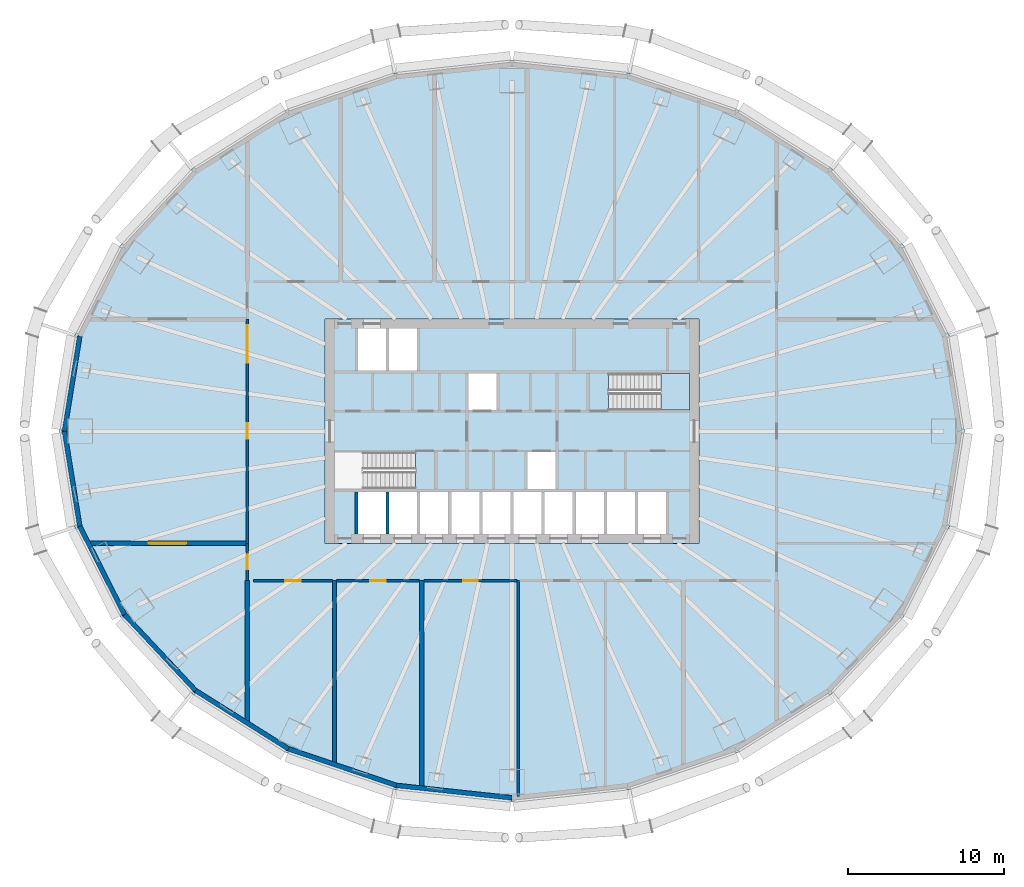
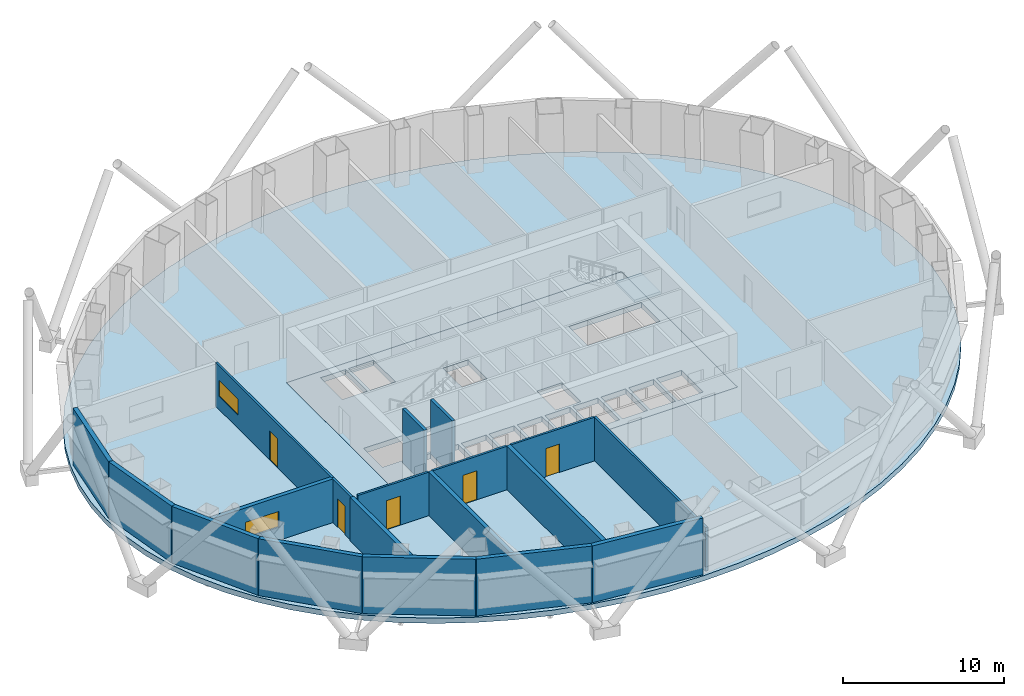
# One storey, part 3 of 14: 19 walls, 5 doors, 3 slabs, 2 windows, 7 openings, 1 element without a shape of its own.
"""IFC4 building model written with IfcOpenShell, lengths in metres."""

from ifc_helpers import new_model, si_unit, direction, frame, frame_2d, origin, place, context, subcontext, project, spatial, polyline, rectangle, outline, extrude, material, layer, layer_set, type_object, element, fill, aggregate, save


model = new_model("IFC4")

# Units and contexts
model_context = context("Model", 3, precision=1e-05, world=origin(), true_north=direction((0.0, 1.0)))
body_context = subcontext(model_context, "Body", "Model", "MODEL_VIEW")
ifc_project = project(units=[si_unit("LENGTHUNIT", "METRE"), si_unit("AREAUNIT", "SQUARE_METRE"), si_unit("VOLUMEUNIT", "CUBIC_METRE"), si_unit("PLANEANGLEUNIT", "RADIAN"), si_unit("MASSUNIT", "GRAM", prefix="KILO")], contexts=[model_context])

# Site, building, storey
site_placement = place(None, origin())
site = spatial("IfcSite", under=ifc_project, at=site_placement, CompositionType="ELEMENT")
building_placement = place(site_placement, origin())
building = spatial("IfcBuilding", under=site, at=building_placement, Name="Siaravel Broadcast Tower", CompositionType="ELEMENT")
storey_placement = place(building_placement, frame((0.0, 0.0, 20.0)))
storey = spatial("IfcBuildingStorey", under=building, at=storey_placement, Name="L03", CompositionType="ELEMENT", Elevation=20.0)

# Slabs
ifc_material_1 = material(Name="Concrete C40/50", Category="concrete")
ifc_layer_1 = layer(ifc_material_1, 0.39990234375)
ifc_layer_set_1 = layer_set([ifc_layer_1], Name="Concrete C40/50")
slab_type_1 = type_object("IfcSlabType", Name="Core floor slab 400", PredefinedType="FLOOR", material=ifc_layer_set_1)
slab_1_placement = place(storey_placement, frame((0.0, 0.0, -0.39990234375)))
element("IfcSlab", 1, at=slab_1_placement, inside=storey, type_object=slab_type_1, Name="L03 core floor", PredefinedType="FLOOR", context=body_context, shape_type="SweptSolid", body=[
    extrude(outline(polyline([(-12.0, -7.199951171875), (-12.0, 7.199951171875), (12.0, 7.199951171875), (12.0, -7.199951171875), (-12.0, -7.199951171875)]), holes=[polyline([(11.3994140625, 1.3505859375), (11.3994140625, 3.699462890625), (6.200439453125, 3.699462890625), (6.200439453125, 1.3505859375), (11.3994140625, 1.3505859375)]), polyline([(9.89990234375, -3.89990234375), (8.10009765625, -3.89990234375), (8.10009765625, -6.60009765625), (9.89990234375, -6.60009765625), (9.89990234375, -3.89990234375)]), polyline([(7.89990234375, -3.89990234375), (6.10009765625, -3.89990234375), (6.10009765625, -6.60009765625), (7.89990234375, -6.60009765625), (7.89990234375, -3.89990234375)]), polyline([(5.89990234375, -3.89990234375), (4.10009765625, -3.89990234375), (4.10009765625, -6.60009765625), (5.89990234375, -6.60009765625), (5.89990234375, -3.89990234375)]), polyline([(3.89990234375, -3.89990234375), (2.10009765625, -3.89990234375), (2.10009765625, -6.60009765625), (3.89990234375, -6.60009765625), (3.89990234375, -3.89990234375)]), polyline([(2.800048828125, -1.35009765625), (1.0, -1.35009765625), (1.0, -3.699951171875), (2.800048828125, -3.699951171875), (2.800048828125, -1.35009765625)]), polyline([(1.89990234375, -3.89990234375), (0.10009765625, -3.89990234375), (0.10009765625, -6.60009765625), (1.89990234375, -6.60009765625), (1.89990234375, -3.89990234375)]), polyline([(-0.10009765625, -3.89990234375), (-1.89990234375, -3.89990234375), (-1.89990234375, -6.60009765625), (-0.10009765625, -6.60009765625), (-0.10009765625, -3.89990234375)]), polyline([(-1.0, 3.699951171875), (-2.800048828125, 3.699951171875), (-2.800048828125, 1.35009765625), (-1.0, 1.35009765625), (-1.0, 3.699951171875)]), polyline([(-2.10009765625, -3.89990234375), (-3.89990234375, -3.89990234375), (-3.89990234375, -6.60009765625), (-2.10009765625, -6.60009765625), (-2.10009765625, -3.89990234375)]), polyline([(-4.10009765625, -3.89990234375), (-5.89990234375, -3.89990234375), (-5.89990234375, -6.60009765625), (-4.10009765625, -6.60009765625), (-4.10009765625, -3.89990234375)]), polyline([(-6.10009765625, -3.89990234375), (-7.89990234375, -3.89990234375), (-7.89990234375, -6.60009765625), (-6.10009765625, -6.60009765625), (-6.10009765625, -3.89990234375)]), polyline([(-6.10009765625, 6.60009765625), (-7.89990234375, 6.60009765625), (-7.89990234375, 3.89990234375), (-6.10009765625, 3.89990234375), (-6.10009765625, 6.60009765625)]), polyline([(-11.3994140625, -1.3505859375), (-11.3994140625, -3.699462890625), (-6.200439453125, -3.699462890625), (-6.200439453125, -1.3505859375), (-11.3994140625, -1.3505859375)]), polyline([(-8.10009765625, -3.89990234375), (-9.89990234375, -3.89990234375), (-9.89990234375, -6.60009765625), (-8.10009765625, -6.60009765625), (-8.10009765625, -3.89990234375)]), polyline([(-8.10009765625, 6.60009765625), (-9.89990234375, 6.60009765625), (-9.89990234375, 3.89990234375), (-8.10009765625, 3.89990234375), (-8.10009765625, 6.60009765625)])]), origin(), (0.0, 0.0, 1.0), 0.39990234375),
])
ifc_layer_2 = layer(ifc_material_1, 0.39990234375)
ifc_layer_set_2 = layer_set([ifc_layer_2], Name="Concrete C40/50")
slab_type_2 = type_object("IfcSlabType", Name="SLB-FLOOR-400", PredefinedType="FLOOR", material=ifc_layer_set_2)
slab_2_placement = place(storey_placement, frame((0.0, 0.0, -0.39990234375)))
element("IfcSlab", 2, at=slab_2_placement, inside=storey, type_object=slab_type_2, Name="Floor slab", PredefinedType="FLOOR", context=body_context, shape_type="SweptSolid", body=[
    extrude(outline(polyline([(29.074951171875, 0.0), (28.96435546875, 2.07568359375), (28.63330078125, 4.135498046875), (28.084228515625, 6.1640625), (27.321533203125, 8.1455078125), (26.350830078125, 10.06494140625), (25.1796875, 11.90771484375), (23.81689453125, 13.66015625), (22.272705078125, 15.308349609375), (20.55908203125, 16.840087890625), (18.68896484375, 18.243896484375), (16.6767578125, 19.5087890625), (14.53759765625, 20.625), (12.28759765625, 21.58447265625), (9.944091796875, 22.37939453125), (7.525146484375, 23.004150390625), (5.048828125, 23.453857421875), (2.5341796875, 23.72509765625), (0.0, 23.815673828125), (-2.5341796875, 23.72509765625), (-5.048828125, 23.453857421875), (-7.525146484375, 23.004150390625), (-9.944091796875, 22.37939453125), (-12.28759765625, 21.58447265625), (-14.53759765625, 20.625), (-16.6767578125, 19.5087890625), (-18.68896484375, 18.243896484375), (-20.55908203125, 16.840087890625), (-22.272705078125, 15.308349609375), (-23.81689453125, 13.66015625), (-25.1796875, 11.90771484375), (-26.350830078125, 10.06494140625), (-27.321533203125, 8.1455078125), (-28.084228515625, 6.1640625), (-28.63330078125, 4.135498046875), (-28.96435546875, 2.07568359375), (-29.074951171875, 0.0), (-28.96435546875, -2.07568359375), (-28.63330078125, -4.135498046875), (-28.084228515625, -6.1640625), (-27.321533203125, -8.1455078125), (-26.350830078125, -10.06494140625), (-25.1796875, -11.907958984375), (-23.81689453125, -13.66015625), (-22.272705078125, -15.308349609375), (-20.55908203125, -16.840087890625), (-18.68896484375, -18.243896484375), (-16.6767578125, -19.5087890625), (-14.53759765625, -20.625), (-12.28759765625, -21.58447265625), (-9.944091796875, -22.37939453125), (-7.525146484375, -23.004150390625), (-5.048828125, -23.453857421875), (-2.5341796875, -23.72509765625), (0.0, -23.815673828125), (2.5341796875, -23.72509765625), (5.048828125, -23.453857421875), (7.525146484375, -23.004150390625), (9.944091796875, -22.37939453125), (12.28759765625, -21.58447265625), (14.53759765625, -20.625), (16.6767578125, -19.5087890625), (18.68896484375, -18.243896484375), (20.55908203125, -16.840087890625), (22.272705078125, -15.308349609375), (23.81689453125, -13.66015625), (25.1796875, -11.907958984375), (26.350830078125, -10.06494140625), (27.321533203125, -8.1455078125), (28.084228515625, -6.1640625), (28.63330078125, -4.135498046875), (28.96435546875, -2.07568359375), (29.074951171875, 0.0)]), holes=[polyline([(-12.0, 7.199951171875), (12.0, 7.199951171875), (12.0, -7.199951171875), (-12.0, -7.199951171875), (-12.0, 7.199951171875)])]), origin(), (0.0, 0.0, 1.0), 0.39990234375),
])

# Stair, slab
stair_type = type_object("IfcStairType", Name="Core exit stair", PredefinedType="HALF_TURN_STAIR", material=ifc_material_1)
stair_placement = place(storey_placement, origin())
stair = element("IfcStair", 3, at=stair_placement, inside=storey, type_object=stair_type, Name="L03 Exit stair ST-2", PredefinedType="HALF_TURN_STAIR")
ifc_layer_3 = layer(ifc_material_1, 0.199951171875)
ifc_layer_set_3 = layer_set([ifc_layer_3], Name="Concrete C40/50")
slab_type_3 = type_object("IfcSlabType", Name="Stair landing", PredefinedType="LANDING", material=ifc_layer_set_3)
slab_3_placement = place(storey_placement, frame((0.0, 0.0, 2.050048828125)))
slab_3 = element("IfcSlab", 4, at=slab_3_placement, type_object=slab_type_3, Name="ST-2 landing 1", PredefinedType="LANDING", context=body_context, shape_type="SweptSolid", body=[
    extrude(outline(polyline([(9.56005859375, 1.35009765625), (11.39990234375, 1.35009765625), (11.39990234375, 3.699951171875), (9.56005859375, 3.699951171875), (9.56005859375, 1.35009765625)])), origin(), (0.0, 0.0, 1.0), 0.199951171875),
])
aggregate(stair, [slab_3])

# Walls
ifc_material_2 = material(Name="Double-leaf acoustic partition", Category="gypsum")
ifc_layer_4 = layer(ifc_material_2, 0.280029296875)
ifc_layer_set_4 = layer_set([ifc_layer_4], Name="Double-leaf acoustic partition")
wall_type_1 = type_object("IfcWallType", Name="Acoustic double-leaf wall 280", PredefinedType="PARTITIONING", material=ifc_layer_set_4)
wall_1_placement = place(storey_placement, frame((-5.800048828125, -22.882568359375, 0.0), z_axis=(0.0, 0.0, 1.0), x_axis=(0.0, 1.0, 0.0)))
element("IfcWall", 5, at=wall_1_placement, inside=storey, type_object=wall_type_1, Name="L03 partition 6", PredefinedType="PARTITIONING", context=body_context, shape_type="SweptSolid", body=[
    extrude(rectangle(XDim=13.282470703125, YDim=0.280029296875, at=frame_2d((6.64111328125, 0.0))), origin(), (0.0, 0.0, 1.0), 3.300048828125),
])
wall_2_placement = place(storey_placement, frame((-11.39990234375, -21.42626953125, 0.0), z_axis=(0.0, 0.0, 1.0), x_axis=(0.0, 1.0, 0.0)))
element("IfcWall", 6, at=wall_2_placement, inside=storey, type_object=wall_type_1, Name="L03 partition 11", PredefinedType="PARTITIONING", context=body_context, shape_type="SweptSolid", body=[
    extrude(rectangle(XDim=11.826171875, YDim=0.280029296875, at=frame_2d((5.9130859375, 0.0))), origin(), (0.0, 0.0, 1.0), 3.300048828125),
])

# Wall, opening, window
wall_3_placement = place(storey_placement, frame((-17.076904296875, -7.199951171875, 0.0), z_axis=(0.0, 0.0, 1.0), x_axis=(-1.0, 0.0, 0.0)))
wall_3 = element("IfcWall", 7, at=wall_3_placement, inside=storey, type_object=wall_type_1, Name="L03 partition 13", PredefinedType="PARTITIONING", context=body_context, shape_type="SweptSolid", body=[
    extrude(rectangle(XDim=10.0859375, YDim=0.280029296875, at=frame_2d((5.04296875, 0.0))), origin(), (0.0, 0.0, 1.0), 3.300048828125),
])
opening_1_placement = place(wall_3_placement, frame((3.843017578125, 0.0, 1.0)))
opening_1 = element("IfcOpeningElement", 8, at=opening_1_placement, cuts=wall_3, Name="Opening L03-W02", PredefinedType="OPENING", context=body_context, shape_type="SweptSolid", body=[
    extrude(rectangle(XDim=2.39990234375, YDim=1.199951171875, at=frame_2d((1.199951171875, 0.60009765625))), frame((0.0, 0.14990234375, 0.0), z_axis=(0.0, -1.0, 0.0), x_axis=(1.0, 0.0, 0.0)), (0.0, 0.0, 1.0), 0.300048828125),
])
ifc_material_3 = material(Name="Laminated acoustic glass", Category="glass")
window_type = type_object("IfcWindowType", Name="Control room window 2400", PartitioningType="DOUBLE_PANEL_VERTICAL", PredefinedType="WINDOW", material=ifc_material_3)
window_1_placement = place(opening_1_placement, origin())
window_1 = element("IfcWindow", 9, at=window_1_placement, inside=storey, type_object=window_type, Name="L03 observation window 2", OverallHeight=1.199951171875, OverallWidth=2.39990234375, PartitioningType="SINGLE_PANEL", PredefinedType="WINDOW", context=body_context, shape_type="SweptSolid", body=[
    extrude(rectangle(XDim=2.39990234375, YDim=1.199951171875, at=frame_2d((1.199951171875, 0.60009765625))), frame((0.0, 0.030029296875, 0.0), z_axis=(0.0, -1.0, 0.0), x_axis=(1.0, 0.0, 0.0)), (0.0, 0.0, 1.0), 0.06005859375),
])
fill(opening_1, window_1)

# Walls
wall_4_placement = place(storey_placement, frame((-17.0, -18.776611328125, 0.0), z_axis=(0.0, 0.0, 1.0), x_axis=(0.0, 1.0, 0.0)))
element("IfcWall", 10, at=wall_4_placement, inside=storey, type_object=wall_type_1, Name="L03 partition 19", PredefinedType="PARTITIONING", context=body_context, shape_type="SweptSolid", body=[
    extrude(rectangle(XDim=9.176513671875, YDim=0.280029296875, at=frame_2d((4.58837890625, 0.0))), origin(), (0.0, 0.0, 1.0), 3.300048828125),
])
ifc_layer_5 = layer(ifc_material_1, 0.300048828125)
ifc_layer_set_5 = layer_set([ifc_layer_5], Name="Concrete C40/50")
wall_type_2 = type_object("IfcWallType", Name="Acoustic studio wall", PredefinedType="STANDARD", material=ifc_layer_set_5)
for number, where, z_axis, x_axis, name in (
    (11, (-27.76904296875, 6.099853515625, 0.0), (0.0, 0.0, 1.0), (-0.15869942, -0.987326944, 0.0), "L03 studio acoustic wall 12"),
    (12, (-28.74951171875, 0.0, 0.0), (0.0, 0.0, 1.0), (0.15869942, -0.987326944, 0.0), "L03 studio acoustic wall 13"),
):
    element("IfcWall", number, at=place(storey_placement, frame(where, z_axis=z_axis, x_axis=x_axis)), inside=storey, type_object=wall_type_2, Name=name, PredefinedType="STANDARD", context=body_context, shape_type="SweptSolid", body=[
        extrude(rectangle(XDim=6.17822265625, YDim=0.300048828125, at=frame_2d((3.089111328125, 0.0))), origin(), (0.0, 0.0, 1.0), 4.300048828125),
    ])
wall_5_placement = place(storey_placement, frame((-27.76904296875, -6.099853515625, 0.0), z_axis=(0.0, 0.0, 1.0), x_axis=(0.451226804, -0.892409307, 0.0)))
element("IfcWall", 13, at=wall_5_placement, inside=storey, type_object=wall_type_2, Name="L03 studio acoustic wall 14", PredefinedType="STANDARD", context=body_context, shape_type="SweptSolid", body=[
    extrude(rectangle(XDim=6.3681640625, YDim=0.300048828125, at=frame_2d((3.18408203125, 0.0))), origin(), (0.0, 0.0, 1.0), 4.300048828125),
])
wall_6_placement = place(storey_placement, frame((-24.8955078125, -11.782958984375, 0.0), z_axis=(0.0, 0.0, 1.0), x_axis=(0.683685967, -0.729776335, 0.0)))
element("IfcWall", 14, at=wall_6_placement, inside=storey, type_object=wall_type_2, Name="L03 studio acoustic wall 15", PredefinedType="STANDARD", context=body_context, shape_type="SweptSolid", body=[
    extrude(rectangle(XDim=6.684814453125, YDim=0.300048828125, at=frame_2d((3.34228515625, 0.0))), origin(), (0.0, 0.0, 1.0), 4.300048828125),
])
wall_7_placement = place(storey_placement, frame((-20.3251953125, -16.661376953125, 0.0), z_axis=(0.0, 0.0, 1.0), x_axis=(0.846645934, -0.532156615, 0.0)))
element("IfcWall", 15, at=wall_7_placement, inside=storey, type_object=wall_type_2, Name="L03 studio acoustic wall 16", PredefinedType="STANDARD", context=body_context, shape_type="SweptSolid", body=[
    extrude(rectangle(XDim=7.032470703125, YDim=0.300048828125, at=frame_2d((3.51611328125, 0.0))), origin(), (0.0, 0.0, 1.0), 4.300048828125),
])
wall_8_placement = place(storey_placement, frame((-14.37109375, -20.40380859375, 0.0), z_axis=(0.0, 0.0, 1.0), x_axis=(0.946978882, -0.321295811, 0.0)))
element("IfcWall", 16, at=wall_8_placement, inside=storey, type_object=wall_type_2, Name="L03 studio acoustic wall 17", PredefinedType="STANDARD", context=body_context, shape_type="SweptSolid", body=[
    extrude(rectangle(XDim=7.320556640625, YDim=0.300048828125, at=frame_2d((3.66015625, 0.0))), origin(), (0.0, 0.0, 1.0), 4.300048828125),
])
wall_9_placement = place(storey_placement, frame((-7.438720703125, -22.755859375, 0.0), z_axis=(0.0, 0.0, 1.0), x_axis=(0.994234721, -0.10722555, 0.0)))
element("IfcWall", 17, at=wall_9_placement, inside=storey, type_object=wall_type_2, Name="L03 studio acoustic wall 18", PredefinedType="STANDARD", context=body_context, shape_type="SweptSolid", body=[
    extrude(rectangle(XDim=7.48193359375, YDim=0.300048828125, at=frame_2d((3.740966796875, 0.0))), origin(), (0.0, 0.0, 1.0), 4.300048828125),
])

# Wall, openings, door, window
ifc_material_4 = material(Name="Gypsum board partition", Category="gypsum")
ifc_layer_6 = layer(ifc_material_4, 0.14990234375)
ifc_layer_set_6 = layer_set([ifc_layer_6], Name="Gypsum board partition")
wall_type_3 = type_object("IfcWallType", Name="Corridor wall 150", PredefinedType="PARTITIONING", material=ifc_layer_set_6)
wall_10_placement = place(storey_placement, frame((-17.0, 7.199951171875, 0.0), z_axis=(0.0, 0.0, 1.0), x_axis=(0.0, -1.0, 0.0)))
wall_10 = element("IfcWall", 18, at=wall_10_placement, inside=storey, type_object=wall_type_3, Name="L03 partition 1", PredefinedType="PARTITIONING", context=body_context, shape_type="SweptSolid", body=[
    extrude(rectangle(XDim=14.39990234375, YDim=0.14990234375, at=frame_2d((7.199951171875, 0.0))), origin(), (0.0, 0.0, 1.0), 3.300048828125),
])
opening_2_placement = place(wall_10_placement, frame((6.699951171875, 0.0, 0.0)))
opening_2 = element("IfcOpeningElement", 19, at=opening_2_placement, cuts=wall_10, Name="Opening L03-002", PredefinedType="OPENING", context=body_context, shape_type="SweptSolid", body=[
    extrude(rectangle(XDim=1.0, YDim=2.199951171875, at=frame_2d((0.5, 1.10009765625))), frame((0.0, 0.0849609375, 0.0), z_axis=(0.0, -1.0, 0.0), x_axis=(1.0, 0.0, 0.0)), (0.0, 0.0, 1.0), 0.169921875),
])
opening_3_placement = place(wall_10_placement, frame((0.39990234375, 0.0, 1.0)))
opening_3 = element("IfcOpeningElement", 20, at=opening_3_placement, cuts=wall_10, Name="Opening L03-W01", PredefinedType="OPENING", context=body_context, shape_type="SweptSolid", body=[
    extrude(rectangle(XDim=2.39990234375, YDim=1.199951171875, at=frame_2d((1.199951171875, 0.60009765625))), frame((0.0, 0.0849609375, 0.0), z_axis=(0.0, -1.0, 0.0), x_axis=(1.0, 0.0, 0.0)), (0.0, 0.0, 1.0), 0.169921875),
])
ifc_material_5 = material(Name="Acoustic timber and steel", Category="steel")
door_type_1 = type_object("IfcDoorType", Name="Acoustic door 1000", OperationType="SINGLE_SWING_LEFT", PredefinedType="DOOR", material=ifc_material_5)
door_1_placement = place(opening_2_placement, origin())
door_1 = element("IfcDoor", 21, at=door_1_placement, inside=storey, type_object=door_type_1, Name="L03 door to Master control room", OperationType="SINGLE_SWING_RIGHT", OverallHeight=2.199951171875, OverallWidth=1.0, PredefinedType="DOOR", context=body_context, shape_type="SweptSolid", body=[
    extrude(rectangle(XDim=1.0, YDim=2.199951171875, at=frame_2d((0.5, 1.10009765625))), frame((0.0, 0.02490234375, 0.0), z_axis=(0.0, -1.0, 0.0), x_axis=(1.0, 0.0, 0.0)), (0.0, 0.0, 1.0), 0.050048828125),
])
fill(opening_2, door_1)
window_2_placement = place(opening_3_placement, origin())
window_2 = element("IfcWindow", 22, at=window_2_placement, inside=storey, type_object=window_type, Name="L03 observation window 1", OverallHeight=1.199951171875, OverallWidth=2.39990234375, PartitioningType="SINGLE_PANEL", PredefinedType="WINDOW", context=body_context, shape_type="SweptSolid", body=[
    extrude(rectangle(XDim=2.39990234375, YDim=1.199951171875, at=frame_2d((1.199951171875, 0.60009765625))), frame((0.0, 0.030029296875, 0.0), z_axis=(0.0, -1.0, 0.0), x_axis=(1.0, 0.0, 0.0)), (0.0, 0.0, 1.0), 0.06005859375),
])
fill(opening_3, window_2)

# Wall, opening, door
wall_11_placement = place(storey_placement, frame((-5.657958984375, -9.60009765625, 0.0), z_axis=(0.0, 0.0, 1.0), x_axis=(1.0, 0.0, 0.0)))
wall_11 = element("IfcWall", 23, at=wall_11_placement, inside=storey, type_object=wall_type_3, Name="L03 partition 21", PredefinedType="PARTITIONING", context=body_context, shape_type="SweptSolid", body=[
    extrude(rectangle(XDim=5.98095703125, YDim=0.14990234375, at=frame_2d((2.990478515625, 0.0))), origin(), (0.0, 0.0, 1.0), 3.300048828125),
])
opening_4_placement = place(wall_11_placement, frame((2.515380859375, 0.0, 0.0)))
opening_4 = element("IfcOpeningElement", 24, at=opening_4_placement, cuts=wall_11, Name="Opening L03-012", PredefinedType="OPENING", context=body_context, shape_type="SweptSolid", body=[
    extrude(rectangle(XDim=0.949951171875, YDim=2.14990234375, at=frame_2d((0.47509765625, 1.074951171875))), frame((0.0, 0.0849609375, 0.0), z_axis=(0.0, -1.0, 0.0), x_axis=(1.0, 0.0, 0.0)), (0.0, 0.0, 1.0), 0.169921875),
])
ifc_material_6 = material(Name="Timber veneer", Category="wood")
door_type_2 = type_object("IfcDoorType", Name="Office door 950", OperationType="SINGLE_SWING_LEFT", PredefinedType="DOOR", material=ifc_material_6)
door_2_placement = place(opening_4_placement, origin())
door_2 = element("IfcDoor", 25, at=door_2_placement, inside=storey, type_object=door_type_2, Name="L03 door to Audio dubbing room", OperationType="SINGLE_SWING_RIGHT", OverallHeight=2.14990234375, OverallWidth=0.949951171875, PredefinedType="DOOR", context=body_context, shape_type="SweptSolid", body=[
    extrude(rectangle(XDim=0.949951171875, YDim=2.14990234375, at=frame_2d((0.47509765625, 1.074951171875))), frame((0.0, 0.02490234375, 0.0), z_axis=(0.0, -1.0, 0.0), x_axis=(1.0, 0.0, 0.0)), (0.0, 0.0, 1.0), 0.050048828125),
])
fill(opening_4, door_2)

wall_12_placement = place(storey_placement, frame((-11.258056640625, -9.60009765625, 0.0), z_axis=(0.0, 0.0, 1.0), x_axis=(1.0, 0.0, 0.0)))
wall_12 = element("IfcWall", 26, at=wall_12_placement, inside=storey, type_object=wall_type_3, Name="L03 partition 26", PredefinedType="PARTITIONING", context=body_context, shape_type="SweptSolid", body=[
    extrude(rectangle(XDim=5.316162109375, YDim=0.14990234375, at=frame_2d((2.658203125, 0.0))), origin(), (0.0, 0.0, 1.0), 3.300048828125),
])
opening_5_placement = place(wall_12_placement, frame((2.157958984375, 0.0, 0.0)))
opening_5 = element("IfcOpeningElement", 27, at=opening_5_placement, cuts=wall_12, Name="Opening L03-011", PredefinedType="OPENING", context=body_context, shape_type="SweptSolid", body=[
    extrude(rectangle(XDim=1.0, YDim=2.199951171875, at=frame_2d((0.5, 1.10009765625))), frame((0.0, 0.0849609375, 0.0), z_axis=(0.0, -1.0, 0.0), x_axis=(1.0, 0.0, 0.0)), (0.0, 0.0, 1.0), 0.169921875),
])
door_3_placement = place(opening_5_placement, origin())
door_3 = element("IfcDoor", 28, at=door_3_placement, inside=storey, type_object=door_type_1, Name="L03 door to Edit suite", OperationType="SINGLE_SWING_LEFT", OverallHeight=2.199951171875, OverallWidth=1.0, PredefinedType="DOOR", context=body_context, shape_type="SweptSolid", body=[
    extrude(rectangle(XDim=1.0, YDim=2.199951171875, at=frame_2d((0.5, 1.10009765625))), frame((0.0, 0.02490234375, 0.0), z_axis=(0.0, -1.0, 0.0), x_axis=(1.0, 0.0, 0.0)), (0.0, 0.0, 1.0), 0.050048828125),
])
fill(opening_5, door_3)

wall_13_placement = place(storey_placement, frame((-16.612060546875, -9.60009765625, 0.0), z_axis=(0.0, 0.0, 1.0), x_axis=(1.0, 0.0, 0.0)))
wall_13 = element("IfcWall", 29, at=wall_13_placement, inside=storey, type_object=wall_type_3, Name="L03 partition 30", PredefinedType="PARTITIONING", context=body_context, shape_type="SweptSolid", body=[
    extrude(rectangle(XDim=5.070068359375, YDim=0.14990234375, at=frame_2d((2.53515625, 0.0))), origin(), (0.0, 0.0, 1.0), 3.300048828125),
])
opening_6_placement = place(wall_13_placement, frame((2.034912109375, 0.0, 0.0)))
opening_6 = element("IfcOpeningElement", 30, at=opening_6_placement, cuts=wall_13, Name="Opening L03-010", PredefinedType="OPENING", context=body_context, shape_type="SweptSolid", body=[
    extrude(rectangle(XDim=1.0, YDim=2.199951171875, at=frame_2d((0.5, 1.10009765625))), frame((0.0, 0.0849609375, 0.0), z_axis=(0.0, -1.0, 0.0), x_axis=(1.0, 0.0, 0.0)), (0.0, 0.0, 1.0), 0.169921875),
])
door_4_placement = place(opening_6_placement, origin())
door_4 = element("IfcDoor", 31, at=door_4_placement, inside=storey, type_object=door_type_1, Name="L03 door to Edit suite", OperationType="SINGLE_SWING_RIGHT", OverallHeight=2.199951171875, OverallWidth=1.0, PredefinedType="DOOR", context=body_context, shape_type="SweptSolid", body=[
    extrude(rectangle(XDim=1.0, YDim=2.199951171875, at=frame_2d((0.5, 1.10009765625))), frame((0.0, 0.02490234375, 0.0), z_axis=(0.0, -1.0, 0.0), x_axis=(1.0, 0.0, 0.0)), (0.0, 0.0, 1.0), 0.050048828125),
])
fill(opening_6, door_4)

wall_14_placement = place(storey_placement, frame((-17.0, -7.200927734375, 0.0), z_axis=(0.0, 0.0, 1.0), x_axis=(0.0, -1.0, 0.0)))
wall_14 = element("IfcWall", 32, at=wall_14_placement, inside=storey, type_object=wall_type_3, Name="L03 partition 33", PredefinedType="PARTITIONING", context=body_context, shape_type="SweptSolid", body=[
    extrude(rectangle(XDim=2.398193359375, YDim=0.14990234375, at=frame_2d((1.19921875, 0.0))), origin(), (0.0, 0.0, 1.0), 3.300048828125),
])
opening_7_placement = place(wall_14_placement, frame((0.72412109375, 0.0, 0.0)))
opening_7 = element("IfcOpeningElement", 33, at=opening_7_placement, cuts=wall_14, Name="Opening L03-001", PredefinedType="OPENING", context=body_context, shape_type="SweptSolid", body=[
    extrude(rectangle(XDim=0.949951171875, YDim=2.14990234375, at=frame_2d((0.47509765625, 1.074951171875))), frame((0.0, 0.0849609375, 0.0), z_axis=(0.0, -1.0, 0.0), x_axis=(1.0, 0.0, 0.0)), (0.0, 0.0, 1.0), 0.169921875),
])
door_5_placement = place(opening_7_placement, origin())
door_5 = element("IfcDoor", 34, at=door_5_placement, inside=storey, type_object=door_type_2, Name="L03 door to Post-production room", OperationType="SINGLE_SWING_LEFT", OverallHeight=2.14990234375, OverallWidth=0.949951171875, PredefinedType="DOOR", context=body_context, shape_type="SweptSolid", body=[
    extrude(rectangle(XDim=0.949951171875, YDim=2.14990234375, at=frame_2d((0.47509765625, 1.074951171875))), frame((0.0, 0.02490234375, 0.0), z_axis=(0.0, -1.0, 0.0), x_axis=(1.0, 0.0, 0.0)), (0.0, 0.0, 1.0), 0.050048828125),
])
fill(opening_7, door_5)

# Walls
ifc_layer_7 = layer(ifc_material_4, 0.14990234375)
ifc_layer_set_7 = layer_set([ifc_layer_7], Name="Gypsum board partition")
wall_type_4 = type_object("IfcWallType", Name="Room partition 150", PredefinedType="PARTITIONING", material=ifc_layer_set_7)
wall_15_placement = place(storey_placement, frame((0.39990234375, -23.465087890625, 0.0), z_axis=(0.0, 0.0, 1.0), x_axis=(0.0, 1.0, 0.0)))
element("IfcWall", 35, at=wall_15_placement, inside=storey, type_object=wall_type_4, Name="L03 partition 3", PredefinedType="PARTITIONING", context=body_context, shape_type="SweptSolid", body=[
    extrude(rectangle(XDim=13.864990234375, YDim=0.14990234375, at=frame_2d((6.9326171875, 0.0))), origin(), (0.0, 0.0, 1.0), 3.300048828125),
])
ifc_material_7 = material(Name="Concrete C60/75", Category="concrete")
ifc_layer_8 = layer(ifc_material_7, 0.199951171875)
ifc_layer_set_8 = layer_set([ifc_layer_8], Name="Concrete C60/75")
wall_type_5 = type_object("IfcWallType", Name="Shaft wall 200", PredefinedType="SHEAR", material=ifc_layer_set_8)
for number, where, z_axis, x_axis, name in (
    (36, (-10.0, -6.60009765625, 0.0), (0.0, 0.0, 1.0), (0.0, 1.0, 0.0), "L03 core wall SWS0"),
    (37, (-8.0, -6.60009765625, 0.0), (0.0, 0.0, 1.0), (0.0, 1.0, 0.0), "L03 core wall SWS1"),
):
    element("IfcWall", number, at=place(storey_placement, frame(where, z_axis=z_axis, x_axis=x_axis)), inside=storey, type_object=wall_type_5, Name=name, PredefinedType="SHEAR", context=body_context, shape_type="SweptSolid", body=[
        extrude(rectangle(XDim=2.7001953125, YDim=0.199951171875, at=frame_2d((1.35009765625, 0.0))), origin(), (0.0, 0.0, 1.0), 4.10009765625),
    ])

save(model, "model.ifc")
